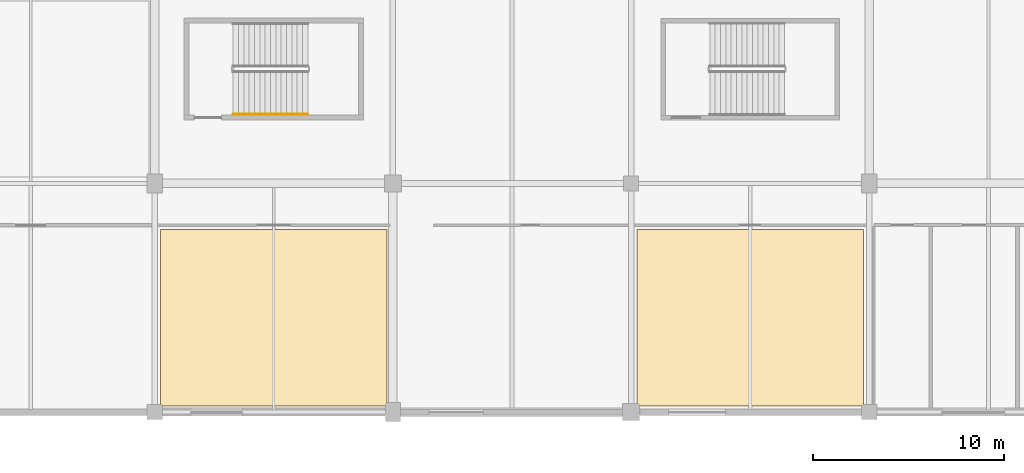
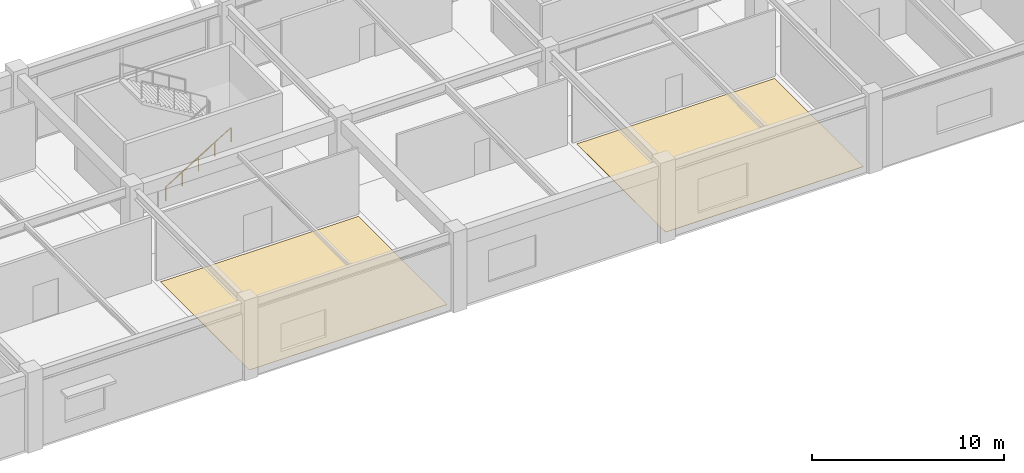
# One storey, part 101 of 116: 2 coverings, 1 railing.
"""IFC4 building model written with IfcOpenShell, lengths in metres."""

from ifc_helpers import new_model, si_unit, direction, frame, origin, origin_2d, place, context, subcontext, project, spatial, polyline, circle, outline, extrude, material, layer, layer_set, type_object, element, save


model = new_model("IFC4")

# Units and contexts
model_context = context("Model", 3, precision=1e-05, world=origin(), true_north=direction((0.0, 1.0)))
body_context = subcontext(model_context, "Body", "Model", "MODEL_VIEW")
ifc_project = project(units=[si_unit("LENGTHUNIT", "METRE"), si_unit("AREAUNIT", "SQUARE_METRE"), si_unit("VOLUMEUNIT", "CUBIC_METRE"), si_unit("PLANEANGLEUNIT", "RADIAN"), si_unit("MASSUNIT", "GRAM", prefix="KILO")], contexts=[model_context])

# Site, building, storey
site_placement = place(None, origin())
site = spatial("IfcSite", under=ifc_project, at=site_placement, CompositionType="ELEMENT")
building_placement = place(site_placement, origin())
building = spatial("IfcBuilding", under=site, at=building_placement, Name="Kazenohara Klinker Stadium", CompositionType="ELEMENT")
storey_placement = place(building_placement, frame((0.0, 0.0, 10.199951171875)))
storey = spatial("IfcBuildingStorey", under=building, at=storey_placement, Name="L02", CompositionType="ELEMENT", Elevation=10.199951171875)

# Coverings
ifc_material_1 = material(Name="Slip-resistant honed basalt terrazzo flooring", Category="masonry")
ifc_layer_1 = layer(ifc_material_1, 0.02001953125)
ifc_layer_set_1 = layer_set([ifc_layer_1], Name="Slip-resistant honed basalt terrazzo flooring")
covering_type_1 = type_object("IfcCoveringType", Name="COV-FLR-01", PredefinedType="FLOORING", material=ifc_layer_set_1)
covering_1_placement = place(storey_placement, origin())
element("IfcCovering", 1, at=covering_1_placement, inside=storey, type_object=covering_type_1, Name="Interior floor finish FL01 Hospitality Culinary Catering Kitchen L02-1201A", PredefinedType="FLOORING", context=body_context, shape_type="SweptSolid", body=[
    extrude(outline(polyline([(150.31005859375, 12.330078125), (162.18994140625, 12.330078125), (162.18994140625, 21.570068359375), (150.31005859375, 21.570068359375), (150.31005859375, 12.330078125)])), origin(), (0.0, 0.0, 1.0), 0.02001953125),
])
ifc_material_2 = material(Name="Cushioned EPDM sports rubber flooring", Category="rubber")
ifc_layer_2 = layer(ifc_material_2, 0.014892578125)
ifc_layer_set_2 = layer_set([ifc_layer_2], Name="Cushioned EPDM sports rubber flooring")
covering_type_2 = type_object("IfcCoveringType", Name="COV-FLR-02", PredefinedType="FLOORING", material=ifc_layer_set_2)
covering_2_placement = place(storey_placement, origin())
element("IfcCovering", 2, at=covering_2_placement, inside=storey, type_object=covering_type_2, Name="Interior floor finish FL02 Hospitality Culinary Catering Kitchen L02-1001A", PredefinedType="FLOORING", context=body_context, shape_type="SweptSolid", body=[
    extrude(outline(polyline([(125.31005859375, 12.330078125), (137.18994140625, 12.330078125), (137.18994140625, 21.570068359375), (125.31005859375, 21.570068359375), (125.31005859375, 12.330078125)])), origin(), (0.0, 0.0, 1.0), 0.01513671875),
])

# Railing
ifc_material_3 = material(Name="Brushed stainless steel 304 handrail", Category="steel")
ifc_layer_3 = layer(ifc_material_3, 0.050048828125)
ifc_layer_set_3 = layer_set([ifc_layer_3], Name="Brushed stainless steel 304 handrail")
railing_type = type_object("IfcRailingType", Name="RL-HND-900", PredefinedType="HANDRAIL", material=ifc_layer_set_3)
railing_placement = place(storey_placement, frame((129.1201171875, 27.6201171875, 0.170166015625)))
element("IfcRailing", 3, at=railing_placement, inside=storey, type_object=railing_type, Name="L02 ST27 stair handrail 1", PredefinedType="HANDRAIL", context=body_context, shape_type="SweptSolid", body=[
    extrude(circle(Radius=0.02392578125, at=origin_2d()), frame((0.0, 0.0, 0.8759765625), z_axis=(0.854794262968, 0.0, 0.518967020143), x_axis=(0.0, 1.0, 0.0)), (0.0, 0.0, 1.0), 4.585693359375),
    extrude(circle(Radius=0.02099609375, at=origin_2d()), origin(), (0.0, 0.0, 1.0), 0.851806640625),
    extrude(circle(Radius=0.02099609375, at=origin_2d()), frame((0.97998046875, 0.0, 0.594970703125)), (0.0, 0.0, 1.0), 0.851806640625),
    extrude(circle(Radius=0.02099609375, at=origin_2d()), frame((1.9599609375, 0.0, 1.18994140625)), (0.0, 0.0, 1.0), 0.851806640625),
    extrude(circle(Radius=0.02099609375, at=origin_2d()), frame((2.93994140625, 0.0, 1.784912109375)), (0.0, 0.0, 1.0), 0.851806640625),
    extrude(circle(Radius=0.02099609375, at=origin_2d()), frame((3.919921875, 0.0, 2.3798828125)), (0.0, 0.0, 1.0), 0.851806640625),
])

save(model, "model.ifc")
